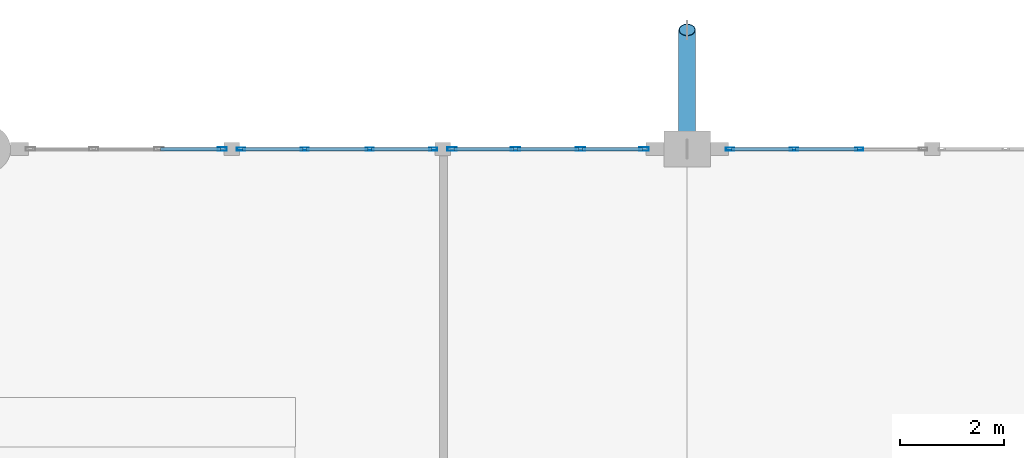
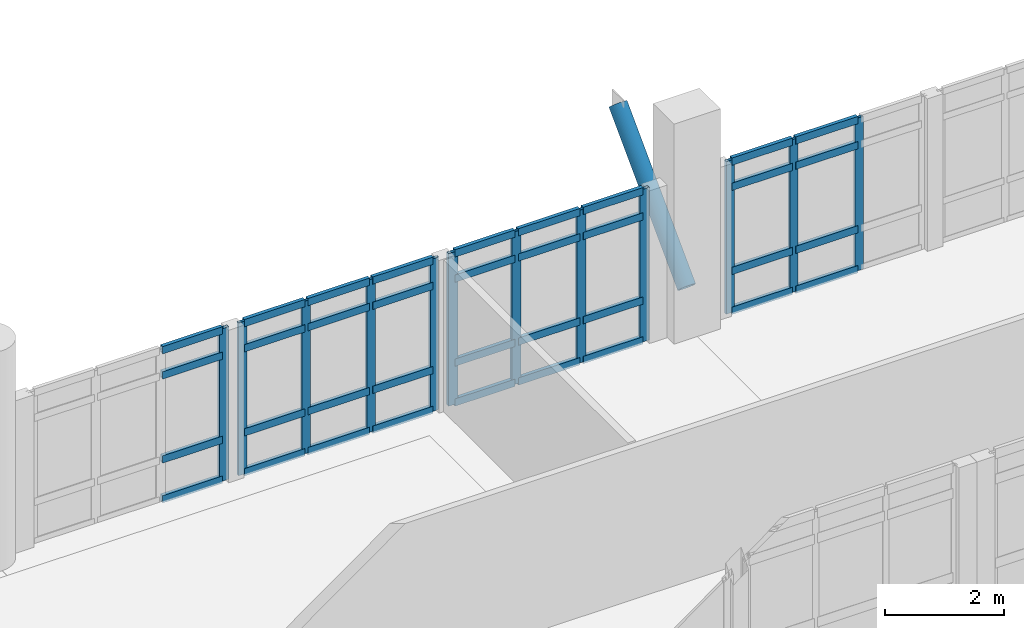
# One storey, part 17 of 37: 49 members, 4 elements without a shape of their own.
"""IFC4 building model written with IfcOpenShell, lengths in metres."""

from ifc_helpers import new_model, si_unit, direction, frame, origin, origin_2d, place, context, subcontext, project, spatial, hollow_rectangle, hollow_circle, extrude, material, layer, layer_set, material_profile, profile_set, type_object, element, aggregate, save


model = new_model("IFC4")

# Units and contexts
model_context = context("Model", 3, precision=1e-05, world=origin(), true_north=direction((0.0, 1.0)))
body_context = subcontext(model_context, "Body", "Model", "MODEL_VIEW")
ifc_project = project(units=[si_unit("LENGTHUNIT", "METRE"), si_unit("AREAUNIT", "SQUARE_METRE"), si_unit("VOLUMEUNIT", "CUBIC_METRE"), si_unit("PLANEANGLEUNIT", "RADIAN"), si_unit("MASSUNIT", "GRAM", prefix="KILO")], contexts=[model_context])

# Site, building, storey
site_placement = place(None, origin())
site = spatial("IfcSite", under=ifc_project, at=site_placement, CompositionType="ELEMENT")
building_placement = place(site_placement, origin())
building = spatial("IfcBuilding", under=site, at=building_placement, Name="Fikremerkos Civic Library", CompositionType="ELEMENT")
storey_placement = place(building_placement, frame((0.0, 0.0, 23.39990234375)))
storey = spatial("IfcBuildingStorey", under=building, at=storey_placement, Name="L05", CompositionType="ELEMENT", Elevation=23.39990234375)

# Curtain wall, member
ifc_material_1 = material(Name="Anodized aluminium Frame", Category="aluminium")
ifc_layer_1 = layer(ifc_material_1, 0.159912109375, Name="Anodized aluminium Frame")
ifc_layer_set_1 = layer_set([ifc_layer_1], Name="Anodized aluminium Frame")
curtain_wall_type_1 = type_object("IfcCurtainWallType", Name="Unitised curtain wall CW-17 4600x3600", PredefinedType="USERDEFINED", material=ifc_layer_set_1)
curtain_wall_1_placement = place(storey_placement, origin())
curtain_wall_1 = element("IfcCurtainWall", 1, at=curtain_wall_1_placement, inside=storey, type_object=curtain_wall_type_1, Name="Unitised curtain wall CW-17 L05 #269", ObjectType="UNITISED CURTAIN WALL", PredefinedType="USERDEFINED")
ifc_material_profile_1 = material_profile(ifc_material_1, hollow_rectangle(XDim=0.06494140625, YDim=0.179931640625, WallThickness=0.00439453125, at=origin_2d()), Name="ALU 180x65x4.5")
ifc_profile_set_1 = profile_set([ifc_material_profile_1], Name="Anodized aluminium Frame")
member_type_1 = type_object("IfcMemberType", Name="Curtain mullion CWM-01 ALU 180x65x4.5", PredefinedType="MULLION", material=ifc_profile_set_1)
member_1_placement = place(storey_placement, frame((77.7333984375, 31.199951171875, 0.0), z_axis=(0.0, 0.0, 1.0), x_axis=(0.0, 1.0, 0.0)))
member_1 = element("IfcMember", 2, at=member_1_placement, type_object=member_type_1, Name="CW-17 mullion 4", PredefinedType="MULLION", context=body_context, shape_type="SweptSolid", body=[
    extrude(hollow_rectangle(XDim=0.06494140625, YDim=0.179931640625, WallThickness=0.00439453125, at=origin_2d()), origin(), (0.0, 0.0, 1.0), 3.1201171875),
])

# Curtain wall, members
ifc_layer_2 = layer(ifc_material_1, 0.159912109375, Name="Anodized aluminium Frame")
ifc_layer_set_2 = layer_set([ifc_layer_2], Name="Anodized aluminium Frame")
curtain_wall_type_2 = type_object("IfcCurtainWallType", Name="Unitised curtain wall CW-01 3600x3600", PredefinedType="USERDEFINED", material=ifc_layer_set_2)
curtain_wall_2_placement = place(storey_placement, origin())
curtain_wall_2 = element("IfcCurtainWall", 3, at=curtain_wall_2_placement, inside=storey, type_object=curtain_wall_type_2, Name="Unitised curtain wall CW-01 L05 #271", ObjectType="UNITISED CURTAIN WALL", PredefinedType="USERDEFINED")
member_2_placement = place(storey_placement, frame((82.16650390625, 31.199951171875, 0.0), z_axis=(0.0, 0.0, 1.0), x_axis=(0.0, 1.0, 0.0)))
member_2 = element("IfcMember", 4, at=member_2_placement, type_object=member_type_1, Name="CW-01 mullion 1", PredefinedType="MULLION", context=body_context, shape_type="SweptSolid", body=[
    extrude(hollow_rectangle(XDim=0.06494140625, YDim=0.179931640625, WallThickness=0.00439453125, at=origin_2d()), origin(), (0.0, 0.0, 1.0), 3.1201171875),
])
member_3_placement = place(storey_placement, frame((83.389892578125, 31.199951171875, 0.0), z_axis=(0.0, 0.0, 1.0), x_axis=(0.0, 1.0, 0.0)))
member_3 = element("IfcMember", 5, at=member_3_placement, type_object=member_type_1, Name="CW-01 mullion 2", PredefinedType="MULLION", context=body_context, shape_type="SweptSolid", body=[
    extrude(hollow_rectangle(XDim=0.06494140625, YDim=0.179931640625, WallThickness=0.00439453125, at=origin_2d()), origin(), (0.0, 0.0, 1.0), 3.1201171875),
])
member_4_placement = place(storey_placement, frame((84.64599609375, 31.199951171875, 0.0), z_axis=(0.0, 0.0, 1.0), x_axis=(0.0, 1.0, 0.0)))
member_4 = element("IfcMember", 6, at=member_4_placement, type_object=member_type_1, Name="CW-01 mullion 3", PredefinedType="MULLION", context=body_context, shape_type="SweptSolid", body=[
    extrude(hollow_rectangle(XDim=0.06494140625, YDim=0.179931640625, WallThickness=0.00439453125, at=origin_2d()), origin(), (0.0, 0.0, 1.0), 3.1201171875),
])
member_5_placement = place(storey_placement, frame((85.869384765625, 31.199951171875, 0.0), z_axis=(0.0, 0.0, 1.0), x_axis=(0.0, 1.0, 0.0)))
member_5 = element("IfcMember", 7, at=member_5_placement, type_object=member_type_1, Name="CW-01 mullion 4", PredefinedType="MULLION", context=body_context, shape_type="SweptSolid", body=[
    extrude(hollow_rectangle(XDim=0.06494140625, YDim=0.179931640625, WallThickness=0.00439453125, at=origin_2d()), origin(), (0.0, 0.0, 1.0), 3.1201171875),
])

ifc_layer_3 = layer(ifc_material_1, 0.159912109375, Name="Anodized aluminium Frame")
ifc_layer_set_3 = layer_set([ifc_layer_3], Name="Anodized aluminium Frame")
curtain_wall_type_3 = type_object("IfcCurtainWallType", Name="Unitised curtain wall CW-18 2700x3400", PredefinedType="USERDEFINED", material=ifc_layer_set_3)
curtain_wall_3_placement = place(storey_placement, origin())
curtain_wall_3 = element("IfcCurtainWall", 8, at=curtain_wall_3_placement, inside=storey, type_object=curtain_wall_type_3, Name="Unitised curtain wall CW-18 L05 #270", ObjectType="UNITISED CURTAIN WALL", PredefinedType="USERDEFINED")
ifc_material_profile_2 = material_profile(ifc_material_1, hollow_rectangle(XDim=0.06005859375, YDim=0.159912109375, WallThickness=0.00390625, at=origin_2d()), Name="ALU 160x60x4")
ifc_profile_set_2 = profile_set([ifc_material_profile_2], Name="Anodized aluminium Frame")
member_type_2 = type_object("IfcMemberType", Name="Curtain mullion CWM-02 ALU 160x60x4", PredefinedType="MULLION", material=ifc_profile_set_2)
member_6_placement = place(storey_placement, frame((78.095947265625, 31.199951171875, 0.0), z_axis=(0.0, 0.0, 1.0), x_axis=(0.0, 1.0, 0.0)))
member_6 = element("IfcMember", 9, at=member_6_placement, type_object=member_type_2, Name="CW-18 mullion 1", PredefinedType="MULLION", context=body_context, shape_type="SweptSolid", body=[
    extrude(hollow_rectangle(XDim=0.06005859375, YDim=0.159912109375, WallThickness=0.00390625, at=origin_2d()), origin(), (0.0, 0.0, 1.0), 3.1201171875),
])
member_7_placement = place(storey_placement, frame((79.322021484375, 31.199951171875, 0.0), z_axis=(0.0, 0.0, 1.0), x_axis=(0.0, 1.0, 0.0)))
member_7 = element("IfcMember", 10, at=member_7_placement, type_object=member_type_2, Name="CW-18 mullion 2", PredefinedType="MULLION", context=body_context, shape_type="SweptSolid", body=[
    extrude(hollow_rectangle(XDim=0.06005859375, YDim=0.159912109375, WallThickness=0.00390625, at=origin_2d()), origin(), (0.0, 0.0, 1.0), 3.1201171875),
])
member_8_placement = place(storey_placement, frame((80.577880859375, 31.199951171875, 0.0), z_axis=(0.0, 0.0, 1.0), x_axis=(0.0, 1.0, 0.0)))
member_8 = element("IfcMember", 11, at=member_8_placement, type_object=member_type_2, Name="CW-18 mullion 3", PredefinedType="MULLION", context=body_context, shape_type="SweptSolid", body=[
    extrude(hollow_rectangle(XDim=0.06005859375, YDim=0.159912109375, WallThickness=0.00390625, at=origin_2d()), origin(), (0.0, 0.0, 1.0), 3.1201171875),
])
member_9_placement = place(storey_placement, frame((81.803955078125, 31.199951171875, 0.0), z_axis=(0.0, 0.0, 1.0), x_axis=(0.0, 1.0, 0.0)))
member_9 = element("IfcMember", 12, at=member_9_placement, type_object=member_type_2, Name="CW-18 mullion 4", PredefinedType="MULLION", context=body_context, shape_type="SweptSolid", body=[
    extrude(hollow_rectangle(XDim=0.06005859375, YDim=0.159912109375, WallThickness=0.00390625, at=origin_2d()), origin(), (0.0, 0.0, 1.0), 3.1201171875),
])

ifc_layer_4 = layer(ifc_material_1, 0.159912109375, Name="Anodized aluminium Frame")
ifc_layer_set_4 = layer_set([ifc_layer_4], Name="Anodized aluminium Frame")
curtain_wall_type_4 = type_object("IfcCurtainWallType", Name="Unitised curtain wall CW-02 3900x3600", PredefinedType="USERDEFINED", material=ifc_layer_set_4)
curtain_wall_4_placement = place(storey_placement, origin())
curtain_wall_4 = element("IfcCurtainWall", 13, at=curtain_wall_4_placement, inside=storey, type_object=curtain_wall_type_4, Name="Unitised curtain wall CW-02 L05 #272", ObjectType="UNITISED CURTAIN WALL", PredefinedType="USERDEFINED")
member_10_placement = place(storey_placement, frame((87.528076171875, 31.199951171875, 0.0), z_axis=(0.0, 0.0, 1.0), x_axis=(0.0, 1.0, 0.0)))
member_10 = element("IfcMember", 14, at=member_10_placement, type_object=member_type_2, Name="CW-02 mullion 1", PredefinedType="MULLION", context=body_context, shape_type="SweptSolid", body=[
    extrude(hollow_rectangle(XDim=0.06005859375, YDim=0.159912109375, WallThickness=0.00390625, at=origin_2d()), origin(), (0.0, 0.0, 1.0), 3.1201171875),
])
member_11_placement = place(storey_placement, frame((88.759521484375, 31.199951171875, 0.0), z_axis=(0.0, 0.0, 1.0), x_axis=(0.0, 1.0, 0.0)))
member_11 = element("IfcMember", 15, at=member_11_placement, type_object=member_type_2, Name="CW-02 mullion 2", PredefinedType="MULLION", context=body_context, shape_type="SweptSolid", body=[
    extrude(hollow_rectangle(XDim=0.06005859375, YDim=0.159912109375, WallThickness=0.00390625, at=origin_2d()), origin(), (0.0, 0.0, 1.0), 3.1201171875),
])
member_12_placement = place(storey_placement, frame((90.02099609375, 31.199951171875, 0.0), z_axis=(0.0, 0.0, 1.0), x_axis=(0.0, 1.0, 0.0)))
member_12 = element("IfcMember", 16, at=member_12_placement, type_object=member_type_2, Name="CW-02 mullion 3", PredefinedType="MULLION", context=body_context, shape_type="SweptSolid", body=[
    extrude(hollow_rectangle(XDim=0.06005859375, YDim=0.159912109375, WallThickness=0.00390625, at=origin_2d()), origin(), (0.0, 0.0, 1.0), 3.1201171875),
])

# Member
ifc_material_profile_3 = material_profile(ifc_material_1, hollow_rectangle(XDim=0.070068359375, YDim=0.14990234375, WallThickness=0.00439453125, at=origin_2d()), Name="ALU 150x70x4.5")
ifc_profile_set_3 = profile_set([ifc_material_profile_3], Name="Anodized aluminium Frame")
member_type_3 = type_object("IfcMemberType", Name="Curtain transom CWT-01 ALU 150x70x4.5", PredefinedType="USERDEFINED", material=ifc_profile_set_3)
member_13_placement = place(storey_placement, frame((76.54248046875, 31.199951171875, 0.03515625), z_axis=(1.0, 0.0, 0.0), x_axis=(0.0, 1.0, 0.0)))
member_13 = element("IfcMember", 17, at=member_13_placement, type_object=member_type_3, Name="CW-17 transom 3.1", ObjectType="TRANSOM", PredefinedType="USERDEFINED", context=body_context, shape_type="SweptSolid", body=[
    extrude(hollow_rectangle(XDim=0.070068359375, YDim=0.14990234375, WallThickness=0.00439453125, at=origin_2d()), origin(), (0.0, 0.0, 1.0), 1.158447265625),
])

member_14_placement = place(storey_placement, frame((76.54248046875, 31.199951171875, 0.85009765625), z_axis=(1.0, 0.0, 0.0), x_axis=(0.0, 1.0, 0.0)))
member_14 = element("IfcMember", 18, at=member_14_placement, type_object=member_type_3, Name="CW-17 transom 3.2", ObjectType="TRANSOM", PredefinedType="USERDEFINED", context=body_context, shape_type="SweptSolid", body=[
    extrude(hollow_rectangle(XDim=0.070068359375, YDim=0.14990234375, WallThickness=0.00439453125, at=origin_2d()), origin(), (0.0, 0.0, 1.0), 1.158447265625),
])

member_15_placement = place(storey_placement, frame((76.54248046875, 31.199951171875, 2.570068359375), z_axis=(1.0, 0.0, 0.0), x_axis=(0.0, 1.0, 0.0)))
member_15 = element("IfcMember", 19, at=member_15_placement, type_object=member_type_3, Name="CW-17 transom 3.3", ObjectType="TRANSOM", PredefinedType="USERDEFINED", context=body_context, shape_type="SweptSolid", body=[
    extrude(hollow_rectangle(XDim=0.070068359375, YDim=0.14990234375, WallThickness=0.00439453125, at=origin_2d()), origin(), (0.0, 0.0, 1.0), 1.158447265625),
])

member_16_placement = place(storey_placement, frame((76.54248046875, 31.199951171875, 3.085205078125), z_axis=(1.0, 0.0, 0.0), x_axis=(0.0, 1.0, 0.0)))
member_16 = element("IfcMember", 20, at=member_16_placement, type_object=member_type_3, Name="CW-17 transom 3.4", ObjectType="TRANSOM", PredefinedType="USERDEFINED", context=body_context, shape_type="SweptSolid", body=[
    extrude(hollow_rectangle(XDim=0.070068359375, YDim=0.14990234375, WallThickness=0.00439453125, at=origin_2d()), origin(), (0.0, 0.0, 1.0), 1.158447265625),
])

aggregate(curtain_wall_1, [member_1, member_13, member_14, member_15, member_16])

member_17_placement = place(storey_placement, frame((78.1259765625, 31.199951171875, 0.03515625), z_axis=(1.0, 0.0, 0.0), x_axis=(0.0, 1.0, 0.0)))
member_17 = element("IfcMember", 21, at=member_17_placement, type_object=member_type_3, Name="CW-18 transom 1.1", ObjectType="TRANSOM", PredefinedType="USERDEFINED", context=body_context, shape_type="SweptSolid", body=[
    extrude(hollow_rectangle(XDim=0.070068359375, YDim=0.14990234375, WallThickness=0.00439453125, at=origin_2d()), origin(), (0.0, 0.0, 1.0), 1.166015625),
])

member_18_placement = place(storey_placement, frame((78.1259765625, 31.199951171875, 0.85009765625), z_axis=(1.0, 0.0, 0.0), x_axis=(0.0, 1.0, 0.0)))
member_18 = element("IfcMember", 22, at=member_18_placement, type_object=member_type_3, Name="CW-18 transom 1.2", ObjectType="TRANSOM", PredefinedType="USERDEFINED", context=body_context, shape_type="SweptSolid", body=[
    extrude(hollow_rectangle(XDim=0.070068359375, YDim=0.14990234375, WallThickness=0.00439453125, at=origin_2d()), origin(), (0.0, 0.0, 1.0), 1.166015625),
])

member_19_placement = place(storey_placement, frame((78.1259765625, 31.199951171875, 2.570068359375), z_axis=(1.0, 0.0, 0.0), x_axis=(0.0, 1.0, 0.0)))
member_19 = element("IfcMember", 23, at=member_19_placement, type_object=member_type_3, Name="CW-18 transom 1.3", ObjectType="TRANSOM", PredefinedType="USERDEFINED", context=body_context, shape_type="SweptSolid", body=[
    extrude(hollow_rectangle(XDim=0.070068359375, YDim=0.14990234375, WallThickness=0.00439453125, at=origin_2d()), origin(), (0.0, 0.0, 1.0), 1.166015625),
])

member_20_placement = place(storey_placement, frame((78.1259765625, 31.199951171875, 3.085205078125), z_axis=(1.0, 0.0, 0.0), x_axis=(0.0, 1.0, 0.0)))
member_20 = element("IfcMember", 24, at=member_20_placement, type_object=member_type_3, Name="CW-18 transom 1.4", ObjectType="TRANSOM", PredefinedType="USERDEFINED", context=body_context, shape_type="SweptSolid", body=[
    extrude(hollow_rectangle(XDim=0.070068359375, YDim=0.14990234375, WallThickness=0.00439453125, at=origin_2d()), origin(), (0.0, 0.0, 1.0), 1.166015625),
])

member_21_placement = place(storey_placement, frame((79.35205078125, 31.199951171875, 0.03515625), z_axis=(1.0, 0.0, 0.0), x_axis=(0.0, 1.0, 0.0)))
member_21 = element("IfcMember", 25, at=member_21_placement, type_object=member_type_3, Name="CW-18 transom 2.1", ObjectType="TRANSOM", PredefinedType="USERDEFINED", context=body_context, shape_type="SweptSolid", body=[
    extrude(hollow_rectangle(XDim=0.070068359375, YDim=0.14990234375, WallThickness=0.00439453125, at=origin_2d()), origin(), (0.0, 0.0, 1.0), 1.196044921875),
])

member_22_placement = place(storey_placement, frame((79.35205078125, 31.199951171875, 0.85009765625), z_axis=(1.0, 0.0, 0.0), x_axis=(0.0, 1.0, 0.0)))
member_22 = element("IfcMember", 26, at=member_22_placement, type_object=member_type_3, Name="CW-18 transom 2.2", ObjectType="TRANSOM", PredefinedType="USERDEFINED", context=body_context, shape_type="SweptSolid", body=[
    extrude(hollow_rectangle(XDim=0.070068359375, YDim=0.14990234375, WallThickness=0.00439453125, at=origin_2d()), origin(), (0.0, 0.0, 1.0), 1.196044921875),
])

member_23_placement = place(storey_placement, frame((79.35205078125, 31.199951171875, 2.570068359375), z_axis=(1.0, 0.0, 0.0), x_axis=(0.0, 1.0, 0.0)))
member_23 = element("IfcMember", 27, at=member_23_placement, type_object=member_type_3, Name="CW-18 transom 2.3", ObjectType="TRANSOM", PredefinedType="USERDEFINED", context=body_context, shape_type="SweptSolid", body=[
    extrude(hollow_rectangle(XDim=0.070068359375, YDim=0.14990234375, WallThickness=0.00439453125, at=origin_2d()), origin(), (0.0, 0.0, 1.0), 1.196044921875),
])

member_24_placement = place(storey_placement, frame((79.35205078125, 31.199951171875, 3.085205078125), z_axis=(1.0, 0.0, 0.0), x_axis=(0.0, 1.0, 0.0)))
member_24 = element("IfcMember", 28, at=member_24_placement, type_object=member_type_3, Name="CW-18 transom 2.4", ObjectType="TRANSOM", PredefinedType="USERDEFINED", context=body_context, shape_type="SweptSolid", body=[
    extrude(hollow_rectangle(XDim=0.070068359375, YDim=0.14990234375, WallThickness=0.00439453125, at=origin_2d()), origin(), (0.0, 0.0, 1.0), 1.196044921875),
])

member_25_placement = place(storey_placement, frame((80.60791015625, 31.199951171875, 0.03515625), z_axis=(1.0, 0.0, 0.0), x_axis=(0.0, 1.0, 0.0)))
member_25 = element("IfcMember", 29, at=member_25_placement, type_object=member_type_3, Name="CW-18 transom 3.1", ObjectType="TRANSOM", PredefinedType="USERDEFINED", context=body_context, shape_type="SweptSolid", body=[
    extrude(hollow_rectangle(XDim=0.070068359375, YDim=0.14990234375, WallThickness=0.00439453125, at=origin_2d()), origin(), (0.0, 0.0, 1.0), 1.166015625),
])

member_26_placement = place(storey_placement, frame((80.60791015625, 31.199951171875, 0.85009765625), z_axis=(1.0, 0.0, 0.0), x_axis=(0.0, 1.0, 0.0)))
member_26 = element("IfcMember", 30, at=member_26_placement, type_object=member_type_3, Name="CW-18 transom 3.2", ObjectType="TRANSOM", PredefinedType="USERDEFINED", context=body_context, shape_type="SweptSolid", body=[
    extrude(hollow_rectangle(XDim=0.070068359375, YDim=0.14990234375, WallThickness=0.00439453125, at=origin_2d()), origin(), (0.0, 0.0, 1.0), 1.166015625),
])

member_27_placement = place(storey_placement, frame((80.60791015625, 31.199951171875, 2.570068359375), z_axis=(1.0, 0.0, 0.0), x_axis=(0.0, 1.0, 0.0)))
member_27 = element("IfcMember", 31, at=member_27_placement, type_object=member_type_3, Name="CW-18 transom 3.3", ObjectType="TRANSOM", PredefinedType="USERDEFINED", context=body_context, shape_type="SweptSolid", body=[
    extrude(hollow_rectangle(XDim=0.070068359375, YDim=0.14990234375, WallThickness=0.00439453125, at=origin_2d()), origin(), (0.0, 0.0, 1.0), 1.166015625),
])

member_28_placement = place(storey_placement, frame((80.60791015625, 31.199951171875, 3.085205078125), z_axis=(1.0, 0.0, 0.0), x_axis=(0.0, 1.0, 0.0)))
member_28 = element("IfcMember", 32, at=member_28_placement, type_object=member_type_3, Name="CW-18 transom 3.4", ObjectType="TRANSOM", PredefinedType="USERDEFINED", context=body_context, shape_type="SweptSolid", body=[
    extrude(hollow_rectangle(XDim=0.070068359375, YDim=0.14990234375, WallThickness=0.00439453125, at=origin_2d()), origin(), (0.0, 0.0, 1.0), 1.166015625),
])

aggregate(curtain_wall_3, [member_6, member_7, member_8, member_9, member_17, member_18, member_19, member_20, member_21, member_22, member_23, member_24, member_25, member_26, member_27, member_28])

member_29_placement = place(storey_placement, frame((82.198974609375, 31.199951171875, 0.03515625), z_axis=(1.0, 0.0, 0.0), x_axis=(0.0, 1.0, 0.0)))
member_29 = element("IfcMember", 33, at=member_29_placement, type_object=member_type_3, Name="CW-01 transom 1.1", ObjectType="TRANSOM", PredefinedType="USERDEFINED", context=body_context, shape_type="SweptSolid", body=[
    extrude(hollow_rectangle(XDim=0.070068359375, YDim=0.14990234375, WallThickness=0.00439453125, at=origin_2d()), origin(), (0.0, 0.0, 1.0), 1.158447265625),
])

member_30_placement = place(storey_placement, frame((82.198974609375, 31.199951171875, 0.85009765625), z_axis=(1.0, 0.0, 0.0), x_axis=(0.0, 1.0, 0.0)))
member_30 = element("IfcMember", 34, at=member_30_placement, type_object=member_type_3, Name="CW-01 transom 1.2", ObjectType="TRANSOM", PredefinedType="USERDEFINED", context=body_context, shape_type="SweptSolid", body=[
    extrude(hollow_rectangle(XDim=0.070068359375, YDim=0.14990234375, WallThickness=0.00439453125, at=origin_2d()), origin(), (0.0, 0.0, 1.0), 1.158447265625),
])

member_31_placement = place(storey_placement, frame((82.198974609375, 31.199951171875, 2.570068359375), z_axis=(1.0, 0.0, 0.0), x_axis=(0.0, 1.0, 0.0)))
member_31 = element("IfcMember", 35, at=member_31_placement, type_object=member_type_3, Name="CW-01 transom 1.3", ObjectType="TRANSOM", PredefinedType="USERDEFINED", context=body_context, shape_type="SweptSolid", body=[
    extrude(hollow_rectangle(XDim=0.070068359375, YDim=0.14990234375, WallThickness=0.00439453125, at=origin_2d()), origin(), (0.0, 0.0, 1.0), 1.158447265625),
])

member_32_placement = place(storey_placement, frame((82.198974609375, 31.199951171875, 3.085205078125), z_axis=(1.0, 0.0, 0.0), x_axis=(0.0, 1.0, 0.0)))
member_32 = element("IfcMember", 36, at=member_32_placement, type_object=member_type_3, Name="CW-01 transom 1.4", ObjectType="TRANSOM", PredefinedType="USERDEFINED", context=body_context, shape_type="SweptSolid", body=[
    extrude(hollow_rectangle(XDim=0.070068359375, YDim=0.14990234375, WallThickness=0.00439453125, at=origin_2d()), origin(), (0.0, 0.0, 1.0), 1.158447265625),
])

member_33_placement = place(storey_placement, frame((83.422607421875, 31.199951171875, 0.03515625), z_axis=(1.0, 0.0, 0.0), x_axis=(0.0, 1.0, 0.0)))
member_33 = element("IfcMember", 37, at=member_33_placement, type_object=member_type_3, Name="CW-01 transom 2.1", ObjectType="TRANSOM", PredefinedType="USERDEFINED", context=body_context, shape_type="SweptSolid", body=[
    extrude(hollow_rectangle(XDim=0.070068359375, YDim=0.14990234375, WallThickness=0.00439453125, at=origin_2d()), origin(), (0.0, 0.0, 1.0), 1.19091796875),
])

member_34_placement = place(storey_placement, frame((83.422607421875, 31.199951171875, 0.85009765625), z_axis=(1.0, 0.0, 0.0), x_axis=(0.0, 1.0, 0.0)))
member_34 = element("IfcMember", 38, at=member_34_placement, type_object=member_type_3, Name="CW-01 transom 2.2", ObjectType="TRANSOM", PredefinedType="USERDEFINED", context=body_context, shape_type="SweptSolid", body=[
    extrude(hollow_rectangle(XDim=0.070068359375, YDim=0.14990234375, WallThickness=0.00439453125, at=origin_2d()), origin(), (0.0, 0.0, 1.0), 1.19091796875),
])

member_35_placement = place(storey_placement, frame((83.422607421875, 31.199951171875, 2.570068359375), z_axis=(1.0, 0.0, 0.0), x_axis=(0.0, 1.0, 0.0)))
member_35 = element("IfcMember", 39, at=member_35_placement, type_object=member_type_3, Name="CW-01 transom 2.3", ObjectType="TRANSOM", PredefinedType="USERDEFINED", context=body_context, shape_type="SweptSolid", body=[
    extrude(hollow_rectangle(XDim=0.070068359375, YDim=0.14990234375, WallThickness=0.00439453125, at=origin_2d()), origin(), (0.0, 0.0, 1.0), 1.19091796875),
])

member_36_placement = place(storey_placement, frame((83.422607421875, 31.199951171875, 3.085205078125), z_axis=(1.0, 0.0, 0.0), x_axis=(0.0, 1.0, 0.0)))
member_36 = element("IfcMember", 40, at=member_36_placement, type_object=member_type_3, Name="CW-01 transom 2.4", ObjectType="TRANSOM", PredefinedType="USERDEFINED", context=body_context, shape_type="SweptSolid", body=[
    extrude(hollow_rectangle(XDim=0.070068359375, YDim=0.14990234375, WallThickness=0.00439453125, at=origin_2d()), origin(), (0.0, 0.0, 1.0), 1.19091796875),
])

member_37_placement = place(storey_placement, frame((84.678466796875, 31.199951171875, 0.03515625), z_axis=(1.0, 0.0, 0.0), x_axis=(0.0, 1.0, 0.0)))
member_37 = element("IfcMember", 41, at=member_37_placement, type_object=member_type_3, Name="CW-01 transom 3.1", ObjectType="TRANSOM", PredefinedType="USERDEFINED", context=body_context, shape_type="SweptSolid", body=[
    extrude(hollow_rectangle(XDim=0.070068359375, YDim=0.14990234375, WallThickness=0.00439453125, at=origin_2d()), origin(), (0.0, 0.0, 1.0), 1.158447265625),
])

member_38_placement = place(storey_placement, frame((84.678466796875, 31.199951171875, 0.85009765625), z_axis=(1.0, 0.0, 0.0), x_axis=(0.0, 1.0, 0.0)))
member_38 = element("IfcMember", 42, at=member_38_placement, type_object=member_type_3, Name="CW-01 transom 3.2", ObjectType="TRANSOM", PredefinedType="USERDEFINED", context=body_context, shape_type="SweptSolid", body=[
    extrude(hollow_rectangle(XDim=0.070068359375, YDim=0.14990234375, WallThickness=0.00439453125, at=origin_2d()), origin(), (0.0, 0.0, 1.0), 1.158447265625),
])

member_39_placement = place(storey_placement, frame((84.678466796875, 31.199951171875, 2.570068359375), z_axis=(1.0, 0.0, 0.0), x_axis=(0.0, 1.0, 0.0)))
member_39 = element("IfcMember", 43, at=member_39_placement, type_object=member_type_3, Name="CW-01 transom 3.3", ObjectType="TRANSOM", PredefinedType="USERDEFINED", context=body_context, shape_type="SweptSolid", body=[
    extrude(hollow_rectangle(XDim=0.070068359375, YDim=0.14990234375, WallThickness=0.00439453125, at=origin_2d()), origin(), (0.0, 0.0, 1.0), 1.158447265625),
])

member_40_placement = place(storey_placement, frame((84.678466796875, 31.199951171875, 3.085205078125), z_axis=(1.0, 0.0, 0.0), x_axis=(0.0, 1.0, 0.0)))
member_40 = element("IfcMember", 44, at=member_40_placement, type_object=member_type_3, Name="CW-01 transom 3.4", ObjectType="TRANSOM", PredefinedType="USERDEFINED", context=body_context, shape_type="SweptSolid", body=[
    extrude(hollow_rectangle(XDim=0.070068359375, YDim=0.14990234375, WallThickness=0.00439453125, at=origin_2d()), origin(), (0.0, 0.0, 1.0), 1.158447265625),
])

aggregate(curtain_wall_2, [member_2, member_3, member_4, member_5, member_29, member_30, member_31, member_32, member_33, member_34, member_35, member_36, member_37, member_38, member_39, member_40])

member_41_placement = place(storey_placement, frame((87.55810546875, 31.199951171875, 0.03515625), z_axis=(1.0, 0.0, 0.0), x_axis=(0.0, 1.0, 0.0)))
member_41 = element("IfcMember", 45, at=member_41_placement, type_object=member_type_3, Name="CW-02 transom 1.1", ObjectType="TRANSOM", PredefinedType="USERDEFINED", context=body_context, shape_type="SweptSolid", body=[
    extrude(hollow_rectangle(XDim=0.070068359375, YDim=0.14990234375, WallThickness=0.00439453125, at=origin_2d()), origin(), (0.0, 0.0, 1.0), 1.17138671875),
])

member_42_placement = place(storey_placement, frame((87.55810546875, 31.199951171875, 0.85009765625), z_axis=(1.0, 0.0, 0.0), x_axis=(0.0, 1.0, 0.0)))
member_42 = element("IfcMember", 46, at=member_42_placement, type_object=member_type_3, Name="CW-02 transom 1.2", ObjectType="TRANSOM", PredefinedType="USERDEFINED", context=body_context, shape_type="SweptSolid", body=[
    extrude(hollow_rectangle(XDim=0.070068359375, YDim=0.14990234375, WallThickness=0.00439453125, at=origin_2d()), origin(), (0.0, 0.0, 1.0), 1.17138671875),
])

member_43_placement = place(storey_placement, frame((87.55810546875, 31.199951171875, 2.570068359375), z_axis=(1.0, 0.0, 0.0), x_axis=(0.0, 1.0, 0.0)))
member_43 = element("IfcMember", 47, at=member_43_placement, type_object=member_type_3, Name="CW-02 transom 1.3", ObjectType="TRANSOM", PredefinedType="USERDEFINED", context=body_context, shape_type="SweptSolid", body=[
    extrude(hollow_rectangle(XDim=0.070068359375, YDim=0.14990234375, WallThickness=0.00439453125, at=origin_2d()), origin(), (0.0, 0.0, 1.0), 1.17138671875),
])

member_44_placement = place(storey_placement, frame((87.55810546875, 31.199951171875, 3.085205078125), z_axis=(1.0, 0.0, 0.0), x_axis=(0.0, 1.0, 0.0)))
member_44 = element("IfcMember", 48, at=member_44_placement, type_object=member_type_3, Name="CW-02 transom 1.4", ObjectType="TRANSOM", PredefinedType="USERDEFINED", context=body_context, shape_type="SweptSolid", body=[
    extrude(hollow_rectangle(XDim=0.070068359375, YDim=0.14990234375, WallThickness=0.00439453125, at=origin_2d()), origin(), (0.0, 0.0, 1.0), 1.17138671875),
])

member_45_placement = place(storey_placement, frame((88.78955078125, 31.199951171875, 0.03515625), z_axis=(1.0, 0.0, 0.0), x_axis=(0.0, 1.0, 0.0)))
member_45 = element("IfcMember", 49, at=member_45_placement, type_object=member_type_3, Name="CW-02 transom 2.1", ObjectType="TRANSOM", PredefinedType="USERDEFINED", context=body_context, shape_type="SweptSolid", body=[
    extrude(hollow_rectangle(XDim=0.070068359375, YDim=0.14990234375, WallThickness=0.00439453125, at=origin_2d()), origin(), (0.0, 0.0, 1.0), 1.20166015625),
])

member_46_placement = place(storey_placement, frame((88.78955078125, 31.199951171875, 0.85009765625), z_axis=(1.0, 0.0, 0.0), x_axis=(0.0, 1.0, 0.0)))
member_46 = element("IfcMember", 50, at=member_46_placement, type_object=member_type_3, Name="CW-02 transom 2.2", ObjectType="TRANSOM", PredefinedType="USERDEFINED", context=body_context, shape_type="SweptSolid", body=[
    extrude(hollow_rectangle(XDim=0.070068359375, YDim=0.14990234375, WallThickness=0.00439453125, at=origin_2d()), origin(), (0.0, 0.0, 1.0), 1.20166015625),
])

member_47_placement = place(storey_placement, frame((88.78955078125, 31.199951171875, 2.570068359375), z_axis=(1.0, 0.0, 0.0), x_axis=(0.0, 1.0, 0.0)))
member_47 = element("IfcMember", 51, at=member_47_placement, type_object=member_type_3, Name="CW-02 transom 2.3", ObjectType="TRANSOM", PredefinedType="USERDEFINED", context=body_context, shape_type="SweptSolid", body=[
    extrude(hollow_rectangle(XDim=0.070068359375, YDim=0.14990234375, WallThickness=0.00439453125, at=origin_2d()), origin(), (0.0, 0.0, 1.0), 1.20166015625),
])

member_48_placement = place(storey_placement, frame((88.78955078125, 31.199951171875, 3.085205078125), z_axis=(1.0, 0.0, 0.0), x_axis=(0.0, 1.0, 0.0)))
member_48 = element("IfcMember", 52, at=member_48_placement, type_object=member_type_3, Name="CW-02 transom 2.4", ObjectType="TRANSOM", PredefinedType="USERDEFINED", context=body_context, shape_type="SweptSolid", body=[
    extrude(hollow_rectangle(XDim=0.070068359375, YDim=0.14990234375, WallThickness=0.00439453125, at=origin_2d()), origin(), (0.0, 0.0, 1.0), 1.20166015625),
])

aggregate(curtain_wall_4, [member_10, member_11, member_12, member_41, member_42, member_43, member_44, member_45, member_46, member_47, member_48])

ifc_material_2 = material(Name="Steel S355", Category="steel")
ifc_material_profile_4 = material_profile(ifc_material_2, hollow_circle(Radius=0.161865234375, WallThickness=0.012451171875, at=origin_2d()), Name="CHS 323.9x12.5")
ifc_profile_set_4 = profile_set([ifc_material_profile_4], Name="Steel S355")
member_type_4 = type_object("IfcMemberType", Name="Raking strut STR-03 CHS 323.9x12.5", PredefinedType="STRUT", material=ifc_profile_set_4)
member_49_placement = place(storey_placement, frame((86.699951171875, 31.199951171875, 0.800048828125), z_axis=(0.0, 0.69945578618, 0.714675872812), x_axis=(-1.0, 0.0, 0.0)))
element("IfcMember", 53, at=member_49_placement, inside=storey, type_object=member_type_4, Name="Raking valley overhang strut STR-03 L05 X=86.7", PredefinedType="STRUT", context=body_context, shape_type="SweptSolid", body=[
    extrude(hollow_circle(Radius=0.161865234375, WallThickness=0.012451171875, at=origin_2d()), origin(), (0.0, 0.0, 1.0), 3.288330078125),
])

save(model, "model.ifc")
